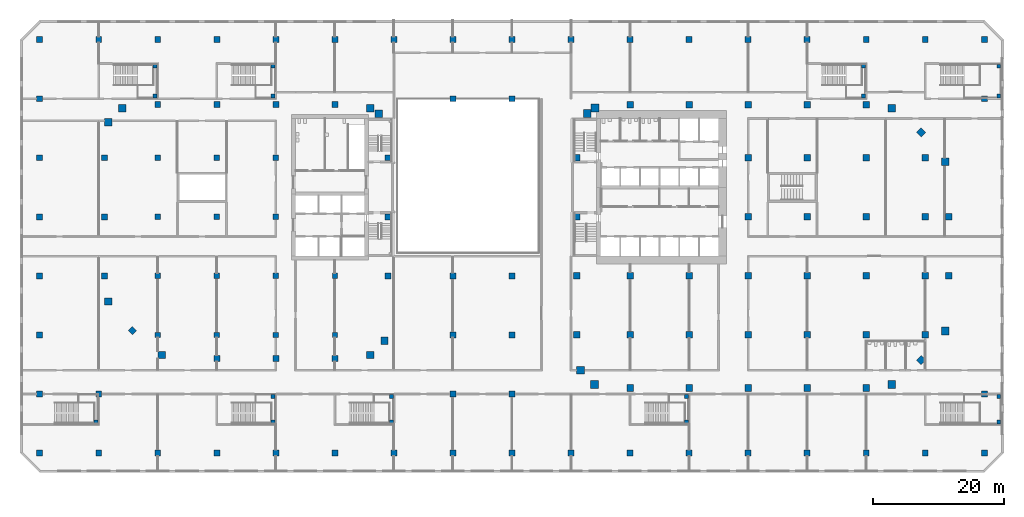
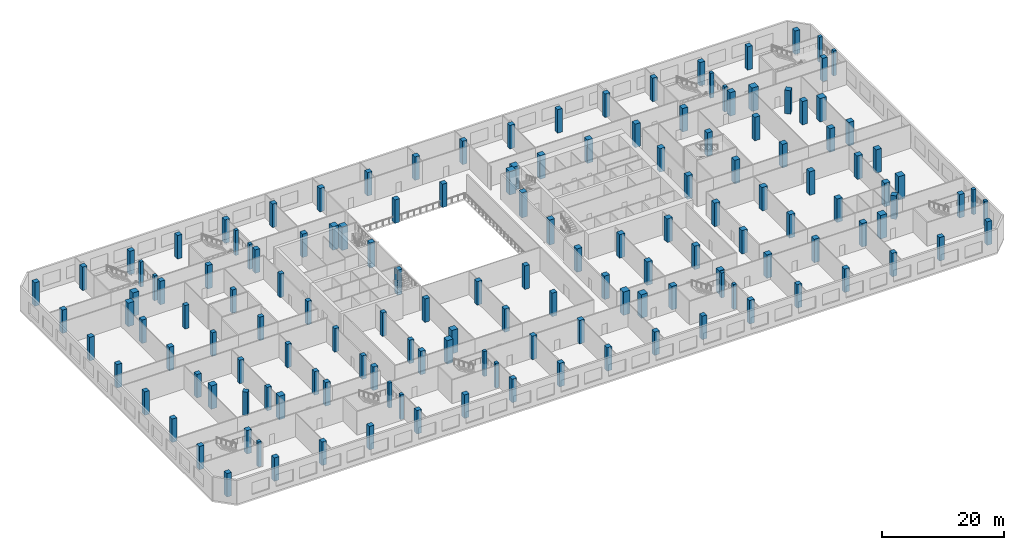
# One storey, part 1 of 21: 150 columns.
"""IFC4 building model written with IfcOpenShell, lengths in metres."""

from ifc_helpers import new_model, si_unit, direction, frame, origin, origin_2d, place, context, subcontext, project, spatial, rectangle, extrude, material, material_profile, profile_set, type_object, element, save


model = new_model("IFC4")

# Units and contexts
model_context = context("Model", 3, precision=1e-05, world=origin(), true_north=direction((0.0, 1.0)))
body_context = subcontext(model_context, "Body", "Model", "MODEL_VIEW")
ifc_project = project(units=[si_unit("LENGTHUNIT", "METRE"), si_unit("AREAUNIT", "SQUARE_METRE"), si_unit("VOLUMEUNIT", "CUBIC_METRE"), si_unit("PLANEANGLEUNIT", "RADIAN"), si_unit("MASSUNIT", "GRAM", prefix="KILO")], contexts=[model_context])

# Site, building, storey
site_placement = place(None, origin())
site = spatial("IfcSite", under=ifc_project, at=site_placement, CompositionType="ELEMENT")
building_placement = place(site_placement, origin())
building = spatial("IfcBuilding", under=site, at=building_placement, Name="Cinnabar Reach Civic Tower", CompositionType="ELEMENT")
storey_placement = place(building_placement, frame((0.0, 0.0, 16.0)))
storey = spatial("IfcBuildingStorey", under=building, at=storey_placement, Name="L03", CompositionType="ELEMENT", Elevation=16.0)

# Columns
ifc_material_1 = material(Name="Concrete C70", Category="concrete")
ifc_material_profile_1 = material_profile(ifc_material_1, rectangle(XDim=1.0, YDim=1.0, at=origin_2d()), Name="RC1000")
ifc_profile_set_1 = profile_set([ifc_material_profile_1], Name="Concrete C70")
column_type_1 = type_object("IfcColumnType", Name="RC1000 column R 240", PredefinedType="COLUMN", material=ifc_profile_set_1)
for number, where, z_axis, x_axis, name in (
    (1, (9.0, 0.9, 0.0), (0.0, 0.0, 1.0), (1.0, 0.0, 0.0), "Column T1-Z1-F0-1"),
    (2, (18.0, 0.9, 0.0), (0.0, 0.0, 1.0), (1.0, 0.0, 0.0), "Column T1-Z1-F0-2"),
    (3, (27.0, 0.9, 0.0), (0.0, 0.0, 1.0), (1.0, 0.0, 0.0), "Column T1-Z1-F0-3"),
    (4, (36.0, 0.9, 0.0), (0.0, 0.0, 1.0), (1.0, 0.0, 0.0), "Column T1-Z1-F0-4"),
    (5, (45.0, 0.9, 0.0), (0.0, 0.0, 1.0), (1.0, 0.0, 0.0), "Column T1-Z1-F0-5"),
    (6, (53.3636, 5.1364, 0.0), (0.0, 0.0, 1.0), (0.707106781187, 0.707106781187, 0.0), "Column T1-Z1-F1-M"),
    (7, (57.6, 18.0, 0.0), (0.0, 0.0, 1.0), (1.0, 0.0, 0.0), "Column T1-Z1-F2-2"),
    (8, (57.6, 27.0, 0.0), (0.0, 0.0, 1.0), (1.0, 0.0, 0.0), "Column T1-Z1-F2-3"),
    (9, (53.3636, 39.8636, 0.0), (0.0, 0.0, 1.0), (0.707106781187, 0.707106781187, 0.0), "Column T1-Z1-F3-M"),
    (10, (9.0, 44.1, 0.0), (0.0, 0.0, 1.0), (1.0, 0.0, 0.0), "Column T1-Z1-F4-1"),
    (11, (18.0, 44.1, 0.0), (0.0, 0.0, 1.0), (1.0, 0.0, 0.0), "Column T1-Z1-F4-2"),
    (12, (27.0, 44.1, 0.0), (0.0, 0.0, 1.0), (1.0, 0.0, 0.0), "Column T1-Z1-F4-3"),
    (13, (36.0, 44.1, 0.0), (0.0, 0.0, 1.0), (1.0, 0.0, 0.0), "Column T1-Z1-F4-4"),
    (14, (45.0, 44.1, 0.0), (0.0, 0.0, 1.0), (1.0, 0.0, 0.0), "Column T1-Z1-F4-5"),
    (15, (0.9, 9.0, 0.0), (0.0, 0.0, 1.0), (1.0, 0.0, 0.0), "Column T1-Z1-F6-1"),
    (16, (0.9, 18.0, 0.0), (0.0, 0.0, 1.0), (1.0, 0.0, 0.0), "Column T1-Z1-F6-2"),
):
    element("IfcColumn", number, at=place(storey_placement, frame(where, z_axis=z_axis, x_axis=x_axis)), inside=storey, type_object=column_type_1, Name=name, PredefinedType="COLUMN", context=body_context, shape_type="SweptSolid", body=[
        extrude(rectangle(XDim=1.0, YDim=1.0, at=origin_2d()), origin(), (0.0, 0.0, 1.0), 4.7),
    ])
for number, where, z_axis, x_axis, name in (
    (17, (0.9, 27.0, 0.0), (0.0, 0.0, 1.0), (1.0, 0.0, 0.0), "Column T1-Z1-F6-3"),
    (18, (0.9, 36.0, 0.0), (0.0, 0.0, 1.0), (1.0, 0.0, 0.0), "Column T1-Z1-F6-4"),
):
    element("IfcColumn", number, at=place(storey_placement, frame(where, z_axis=z_axis, x_axis=x_axis)), inside=storey, type_object=column_type_1, Name=name, PredefinedType="COLUMN", context=body_context, shape_type="SweptSolid", body=[
        extrude(rectangle(XDim=1.0, YDim=1.0, at=origin_2d()), origin(), (0.0, 0.0, 1.0), 5.0),
    ])
for number, where, z_axis, x_axis, name in (
    (19, (9.0, 9.0, 0.0), (0.0, 0.0, 1.0), (1.0, 0.0, 0.0), "Column T1-Z1-I9_9"),
    (20, (9.0, 18.0, 0.0), (0.0, 0.0, 1.0), (1.0, 0.0, 0.0), "Column T1-Z1-I9_18"),
    (21, (18.0, 9.0, 0.0), (0.0, 0.0, 1.0), (1.0, 0.0, 0.0), "Column T1-Z1-I18_9"),
    (22, (18.0, 18.0, 0.0), (0.0, 0.0, 1.0), (1.0, 0.0, 0.0), "Column T1-Z1-I18_18"),
    (23, (27.0, 9.0, 0.0), (0.0, 0.0, 1.0), (1.0, 0.0, 0.0), "Column T1-Z1-I27_9"),
    (24, (27.0, 18.0, 0.0), (0.0, 0.0, 1.0), (1.0, 0.0, 0.0), "Column T1-Z1-I27_18"),
    (25, (27.0, 27.0, 0.0), (0.0, 0.0, 1.0), (1.0, 0.0, 0.0), "Column T1-Z1-I27_27"),
    (26, (27.0, 36.0, 0.0), (0.0, 0.0, 1.0), (1.0, 0.0, 0.0), "Column T1-Z1-I27_36"),
    (27, (36.0, 9.0, 0.0), (0.0, 0.0, 1.0), (1.0, 0.0, 0.0), "Column T1-Z1-I36_9"),
    (28, (36.0, 18.0, 0.0), (0.0, 0.0, 1.0), (1.0, 0.0, 0.0), "Column T1-Z1-I36_18"),
    (29, (36.0, 27.0, 0.0), (0.0, 0.0, 1.0), (1.0, 0.0, 0.0), "Column T1-Z1-I36_27"),
    (30, (36.0, 36.0, 0.0), (0.0, 0.0, 1.0), (1.0, 0.0, 0.0), "Column T1-Z1-I36_36"),
    (31, (45.0, 9.0, 0.0), (0.0, 0.0, 1.0), (1.0, 0.0, 0.0), "Column T1-Z1-I45_9"),
    (32, (45.0, 18.0, 0.0), (0.0, 0.0, 1.0), (1.0, 0.0, 0.0), "Column T1-Z1-I45_18"),
    (33, (45.0, 27.0, 0.0), (0.0, 0.0, 1.0), (1.0, 0.0, 0.0), "Column T1-Z1-I45_27"),
    (34, (45.0, 36.0, 0.0), (0.0, 0.0, 1.0), (1.0, 0.0, 0.0), "Column T1-Z1-I45_36"),
    (35, (54.0, 9.0, 0.0), (0.0, 0.0, 1.0), (1.0, 0.0, 0.0), "Column T1-Z1-I54_9"),
    (36, (54.0, 18.0, 0.0), (0.0, 0.0, 1.0), (1.0, 0.0, 0.0), "Column T1-Z1-I54_18"),
    (37, (54.0, 27.0, 0.0), (0.0, 0.0, 1.0), (1.0, 0.0, 0.0), "Column T1-Z1-I54_27"),
    (38, (54.0, 36.0, 0.0), (0.0, 0.0, 1.0), (1.0, 0.0, 0.0), "Column T1-Z1-I54_36"),
):
    element("IfcColumn", number, at=place(storey_placement, frame(where, z_axis=z_axis, x_axis=x_axis)), inside=storey, type_object=column_type_1, Name=name, PredefinedType="COLUMN", context=body_context, shape_type="SweptSolid", body=[
        extrude(rectangle(XDim=1.0, YDim=1.0, at=origin_2d()), origin(), (0.0, 0.0, 1.0), 4.7),
    ])
ifc_material_2 = material(Name="Concrete C80", Category="concrete")
ifc_material_profile_2 = material_profile(ifc_material_2, rectangle(XDim=1.1, YDim=1.1, at=origin_2d()), Name="RC1100")
ifc_profile_set_2 = profile_set([ifc_material_profile_2], Name="Concrete C80")
column_type_2 = type_object("IfcColumnType", Name="RC1100 column R 180", PredefinedType="COLUMN", material=ifc_profile_set_2)
for number, where, z_axis, x_axis, name in (
    (39, (-62.3981, 5.9531, 0.0), (0.0, 0.0, 1.0), (1.0, 0.0, 0.0), "Column T2-Z1-CC0"),
    (40, (-30.6019, 5.9531, 0.0), (0.0, 0.0, 1.0), (1.0, 0.0, 0.0), "Column T2-Z1-CC1"),
    (41, (-28.4531, 8.1019, 0.0), (0.0, 0.0, 1.0), (1.0, 0.0, 0.0), "Column T2-Z1-CC2"),
    (42, (-29.3131, 42.7, 0.0), (0.0, 0.0, 1.0), (1.0, 0.0, 0.0), "Column T2-Z1-CC3"),
    (43, (-30.6019, 43.5469, 0.0), (0.0, 0.0, 1.0), (1.0, 0.0, 0.0), "Column T2-Z1-CC4"),
    (44, (-68.3981, 43.5469, 0.0), (0.0, 0.0, 1.0), (1.0, 0.0, 0.0), "Column T2-Z1-CC5"),
    (45, (-70.5469, 41.3981, 0.0), (0.0, 0.0, 1.0), (1.0, 0.0, 0.0), "Column T2-Z1-CC6"),
    (46, (-70.5469, 14.1019, 0.0), (0.0, 0.0, 1.0), (1.0, 0.0, 0.0), "Column T2-Z1-CC7"),
):
    element("IfcColumn", number, at=place(storey_placement, frame(where, z_axis=z_axis, x_axis=x_axis)), inside=storey, type_object=column_type_2, Name=name, PredefinedType="COLUMN", context=body_context, shape_type="SweptSolid", body=[
        extrude(rectangle(XDim=1.1, YDim=1.1, at=origin_2d()), origin(), (0.0, 0.0, 1.0), 4.7),
    ])
ifc_material_profile_3 = material_profile(ifc_material_2, rectangle(XDim=1.2, YDim=1.2, at=origin_2d()), Name="RC1200")
ifc_profile_set_3 = profile_set([ifc_material_profile_3], Name="Concrete C80")
column_type_3 = type_object("IfcColumnType", Name="RC1200 column R 240", PredefinedType="COLUMN", material=ifc_profile_set_3)
for number, where, z_axis, x_axis, name in (
    (47, (3.6019, 1.4531, 0.0), (0.0, 0.0, 1.0), (1.0, 0.0, 0.0), "Column T1-Z1-CC0"),
    (48, (48.8981, 1.4531, 0.0), (0.0, 0.0, 1.0), (1.0, 0.0, 0.0), "Column T1-Z1-CC1"),
    (49, (57.0469, 9.6019, 0.0), (0.0, 0.0, 1.0), (1.0, 0.0, 0.0), "Column T1-Z1-CC2"),
    (50, (57.0469, 35.3981, 0.0), (0.0, 0.0, 1.0), (1.0, 0.0, 0.0), "Column T1-Z1-CC3"),
    (51, (48.8981, 43.5469, 0.0), (0.0, 0.0, 1.0), (1.0, 0.0, 0.0), "Column T1-Z1-CC4"),
    (52, (3.6666, 43.5737, 0.0), (0.0, 0.0, 1.0), (1.0, 0.0, 0.0), "Column T1-Z1-CC5"),
    (53, (2.4631, 42.75, 0.0), (0.0, 0.0, 1.0), (1.0, 0.0, 0.0), "Column T1-Z1-CC6"),
    (54, (1.4531, 3.6019, 0.0), (0.0, 0.0, 1.0), (1.0, 0.0, 0.0), "Column T1-Z1-CC7"),
):
    element("IfcColumn", number, at=place(storey_placement, frame(where, z_axis=z_axis, x_axis=x_axis)), inside=storey, type_object=column_type_3, Name=name, PredefinedType="COLUMN", context=body_context, shape_type="SweptSolid", body=[
        extrude(rectangle(XDim=1.2, YDim=1.2, at=origin_2d()), origin(), (0.0, 0.0, 1.0), 4.7),
    ])
ifc_material_3 = material(Name="Concrete C60", Category="concrete")
ifc_material_profile_4 = material_profile(ifc_material_3, rectangle(XDim=0.6, YDim=0.6, at=origin_2d()), Name="RC600")
ifc_profile_set_4 = profile_set([ifc_material_profile_4], Name="Concrete C60")
column_type_4 = type_object("IfcColumnType", Name="RC600 landing post R 240", PredefinedType="COLUMN", material=ifc_profile_set_4)
for number, where, z_axis, x_axis, name in (
    (55, (-72.4, -4.25, 0.0), (0.0, 0.0, 1.0), (1.0, 0.0, 0.0), "Landing post PS1 L03 1"),
    (56, (-63.4, 49.95, 0.0), (0.0, 0.0, 1.0), (1.0, 0.0, 0.0), "Landing post PS2 L03 1"),
    (57, (-63.4, 45.4, 0.0), (0.0, 0.0, 1.0), (1.0, 0.0, 0.0), "Landing post PS2 L03 2"),
    (58, (17.6, -4.25, 0.0), (0.0, 0.0, 1.0), (1.0, 0.0, 0.0), "Landing post PS3 L03 1"),
    (59, (17.6, -0.4, 0.0), (0.0, 0.0, 1.0), (1.0, 0.0, 0.0), "Landing post PS3 L03 2"),
    (60, (65.2, -4.25, 0.0), (0.0, 0.0, 1.0), (1.0, 0.0, 0.0), "Landing post PS4 L03 1"),
    (61, (65.2, -0.4, 0.0), (0.0, 0.0, 1.0), (1.0, 0.0, 0.0), "Landing post PS4 L03 2"),
    (62, (65.2, 49.95, 0.0), (0.0, 0.0, 1.0), (1.0, 0.0, 0.0), "Landing post PS5 L03 1"),
    (63, (65.2, 45.4, 0.0), (0.0, 0.0, 1.0), (1.0, 0.0, 0.0), "Landing post PS5 L03 2"),
    (64, (44.6, 49.95, 0.0), (0.0, 0.0, 1.0), (1.0, 0.0, 0.0), "Landing post PS6 L03 1"),
    (65, (44.6, 45.4, 0.0), (0.0, 0.0, 1.0), (1.0, 0.0, 0.0), "Landing post PS6 L03 2"),
    (66, (-45.4, 49.95, 0.0), (0.0, 0.0, 1.0), (1.0, 0.0, 0.0), "Landing post PS7 L03 1"),
    (67, (-45.4, 45.4, 0.0), (0.0, 0.0, 1.0), (1.0, 0.0, 0.0), "Landing post PS7 L03 2"),
    (68, (-45.4, -4.25, 0.0), (0.0, 0.0, 1.0), (1.0, 0.0, 0.0), "Landing post PS8 L03 1"),
    (69, (-45.4, -0.4, 0.0), (0.0, 0.0, 1.0), (1.0, 0.0, 0.0), "Landing post PS8 L03 2"),
    (70, (-27.4, -4.25, 0.0), (0.0, 0.0, 1.0), (1.0, 0.0, 0.0), "Landing post PS9 L03 1"),
    (71, (-27.4, -0.4, 0.0), (0.0, 0.0, 1.0), (1.0, 0.0, 0.0), "Landing post PS9 L03 2"),
):
    element("IfcColumn", number, at=place(storey_placement, frame(where, z_axis=z_axis, x_axis=x_axis)), inside=storey, type_object=column_type_4, Name=name, PredefinedType="COLUMN", context=body_context, shape_type="SweptSolid", body=[
        extrude(rectangle(XDim=0.6, YDim=0.6, at=origin_2d()), origin(), (0.0, 0.0, 1.0), 5.0),
    ])
ifc_material_profile_5 = material_profile(ifc_material_3, rectangle(XDim=0.8, YDim=0.8, at=origin_2d()), Name="RC800")
ifc_profile_set_5 = profile_set([ifc_material_profile_5], Name="Concrete C60")
column_type_5 = type_object("IfcColumnType", Name="RC800 column R 180", PredefinedType="COLUMN", material=ifc_profile_set_5)
for number, where, z_axis, x_axis, name in (
    (72, (-63.0, 9.0, 0.0), (0.0, 0.0, 1.0), (1.0, 0.0, 0.0), "Column T2-Z1-I-63_9"),
    (73, (-63.0, 18.0, 0.0), (0.0, 0.0, 1.0), (1.0, 0.0, 0.0), "Column T2-Z1-I-63_18"),
    (74, (-63.0, 27.0, 0.0), (0.0, 0.0, 1.0), (1.0, 0.0, 0.0), "Column T2-Z1-I-63_27"),
    (75, (-63.0, 36.0, 0.0), (0.0, 0.0, 1.0), (1.0, 0.0, 0.0), "Column T2-Z1-I-63_36"),
    (76, (-54.0, 9.0, 0.0), (0.0, 0.0, 1.0), (1.0, 0.0, 0.0), "Column T2-Z1-I-54_9"),
    (77, (-54.0, 18.0, 0.0), (0.0, 0.0, 1.0), (1.0, 0.0, 0.0), "Column T2-Z1-I-54_18"),
    (78, (-54.0, 27.0, 0.0), (0.0, 0.0, 1.0), (1.0, 0.0, 0.0), "Column T2-Z1-I-54_27"),
    (79, (-54.0, 36.0, 0.0), (0.0, 0.0, 1.0), (1.0, 0.0, 0.0), "Column T2-Z1-I-54_36"),
    (80, (-45.0, 9.0, 0.0), (0.0, 0.0, 1.0), (1.0, 0.0, 0.0), "Column T2-Z1-I-45_9"),
    (81, (-45.0, 18.0, 0.0), (0.0, 0.0, 1.0), (1.0, 0.0, 0.0), "Column T2-Z1-I-45_18"),
    (82, (-45.0, 27.0, 0.0), (0.0, 0.0, 1.0), (1.0, 0.0, 0.0), "Column T2-Z1-I-45_27"),
    (83, (-45.0, 36.0, 0.0), (0.0, 0.0, 1.0), (1.0, 0.0, 0.0), "Column T2-Z1-I-45_36"),
    (84, (-36.0, 9.0, 0.0), (0.0, 0.0, 1.0), (1.0, 0.0, 0.0), "Column T2-Z1-I-36_9"),
    (85, (-36.0, 18.0, 0.0), (0.0, 0.0, 1.0), (1.0, 0.0, 0.0), "Column T2-Z1-I-36_18"),
):
    element("IfcColumn", number, at=place(storey_placement, frame(where, z_axis=z_axis, x_axis=x_axis)), inside=storey, type_object=column_type_5, Name=name, PredefinedType="COLUMN", context=body_context, shape_type="SweptSolid", body=[
        extrude(rectangle(XDim=0.8, YDim=0.8, at=origin_2d()), origin(), (0.0, 0.0, 1.0), 4.7),
    ])
ifc_material_profile_6 = material_profile(ifc_material_1, rectangle(XDim=0.9, YDim=0.9, at=origin_2d()), Name="RC900")
ifc_profile_set_6 = profile_set([ifc_material_profile_6], Name="Concrete C70")
column_type_6 = type_object("IfcColumnType", Name="RC900 column R 180", PredefinedType="COLUMN", material=ifc_profile_set_6)
for number, where, z_axis, x_axis, name in (
    (86, (-54.0, 5.4, 0.0), (0.0, 0.0, 1.0), (1.0, 0.0, 0.0), "Column T2-Z1-F0--6"),
    (87, (-45.0, 5.4, 0.0), (0.0, 0.0, 1.0), (1.0, 0.0, 0.0), "Column T2-Z1-F0--5"),
    (88, (-36.0, 5.4, 0.0), (0.0, 0.0, 1.0), (1.0, 0.0, 0.0), "Column T2-Z1-F0--4"),
    (89, (-27.9, 18.0, 0.0), (0.0, 0.0, 1.0), (1.0, 0.0, 0.0), "Column T2-Z1-F2-2"),
):
    element("IfcColumn", number, at=place(storey_placement, frame(where, z_axis=z_axis, x_axis=x_axis)), inside=storey, type_object=column_type_6, Name=name, PredefinedType="COLUMN", context=body_context, shape_type="SweptSolid", body=[
        extrude(rectangle(XDim=0.9, YDim=0.9, at=origin_2d()), origin(), (0.0, 0.0, 1.0), 4.7),
    ])
for number, where, z_axis, x_axis, name in (
    (90, (-27.9, 27.0, 0.0), (0.0, 0.0, 1.0), (1.0, 0.0, 0.0), "Column T2-Z1-F2-3"),
    (91, (-27.9, 36.0, 0.0), (0.0, 0.0, 1.0), (1.0, 0.0, 0.0), "Column T2-Z1-F2-4"),
):
    element("IfcColumn", number, at=place(storey_placement, frame(where, z_axis=z_axis, x_axis=x_axis)), inside=storey, type_object=column_type_6, Name=name, PredefinedType="COLUMN", context=body_context, shape_type="SweptSolid", body=[
        extrude(rectangle(XDim=0.9, YDim=0.9, at=origin_2d()), origin(), (0.0, 0.0, 1.0), 5.0),
    ])
for number, where, z_axis, x_axis, name in (
    (92, (-63.0, 44.1, 0.0), (0.0, 0.0, 1.0), (1.0, 0.0, 0.0), "Column T2-Z1-F4--7"),
    (93, (-54.0, 44.1, 0.0), (0.0, 0.0, 1.0), (1.0, 0.0, 0.0), "Column T2-Z1-F4--6"),
    (94, (-45.0, 44.1, 0.0), (0.0, 0.0, 1.0), (1.0, 0.0, 0.0), "Column T2-Z1-F4--5"),
    (95, (-36.0, 44.1, 0.0), (0.0, 0.0, 1.0), (1.0, 0.0, 0.0), "Column T2-Z1-F4--4"),
    (96, (-71.1, 18.0, 0.0), (0.0, 0.0, 1.0), (1.0, 0.0, 0.0), "Column T2-Z1-F6-2"),
    (97, (-71.1, 27.0, 0.0), (0.0, 0.0, 1.0), (1.0, 0.0, 0.0), "Column T2-Z1-F6-3"),
    (98, (-71.1, 36.0, 0.0), (0.0, 0.0, 1.0), (1.0, 0.0, 0.0), "Column T2-Z1-F6-4"),
    (99, (-66.8636, 9.6364, 0.0), (0.0, 0.0, 1.0), (0.707106781187, 0.707106781187, 0.0), "Column T2-Z1-F7-M"),
):
    element("IfcColumn", number, at=place(storey_placement, frame(where, z_axis=z_axis, x_axis=x_axis)), inside=storey, type_object=column_type_6, Name=name, PredefinedType="COLUMN", context=body_context, shape_type="SweptSolid", body=[
        extrude(rectangle(XDim=0.9, YDim=0.9, at=origin_2d()), origin(), (0.0, 0.0, 1.0), 4.7),
    ])
ifc_material_profile_7 = material_profile(ifc_material_1, rectangle(XDim=0.9, YDim=0.9, at=origin_2d()), Name="RC900")
ifc_profile_set_7 = profile_set([ifc_material_profile_7], Name="Concrete C70")
column_type_7 = type_object("IfcColumnType", Name="RC900 column R 240", PredefinedType="COLUMN", material=ifc_profile_set_7)
for number, where, z_axis, x_axis, name in (
    (100, (-81.0, -9.0, 0.0), (0.0, 0.0, 1.0), (1.0, 0.0, 0.0), "Column -81/-9 L03"),
    (101, (-81.0, 0.0, 0.0), (0.0, 0.0, 1.0), (1.0, 0.0, 0.0), "Column -81/0 L03"),
    (102, (-81.0, 9.0, 0.0), (0.0, 0.0, 1.0), (1.0, 0.0, 0.0), "Column -81/9 L03"),
    (103, (-81.0, 18.0, 0.0), (0.0, 0.0, 1.0), (1.0, 0.0, 0.0), "Column -81/18 L03"),
    (104, (-81.0, 27.0, 0.0), (0.0, 0.0, 1.0), (1.0, 0.0, 0.0), "Column -81/27 L03"),
    (105, (-81.0, 36.0, 0.0), (0.0, 0.0, 1.0), (1.0, 0.0, 0.0), "Column -81/36 L03"),
    (106, (-81.0, 45.0, 0.0), (0.0, 0.0, 1.0), (1.0, 0.0, 0.0), "Column -81/45 L03"),
    (107, (-81.0, 54.0, 0.0), (0.0, 0.0, 1.0), (1.0, 0.0, 0.0), "Column -81/54 L03"),
    (108, (-72.0, -9.0, 0.0), (0.0, 0.0, 1.0), (1.0, 0.0, 0.0), "Column -72/-9 L03"),
    (109, (-72.0, 0.0, 0.0), (0.0, 0.0, 1.0), (1.0, 0.0, 0.0), "Column -72/0 L03"),
    (110, (-72.0, 54.0, 0.0), (0.0, 0.0, 1.0), (1.0, 0.0, 0.0), "Column -72/54 L03"),
    (111, (-63.0, -9.0, 0.0), (0.0, 0.0, 1.0), (1.0, 0.0, 0.0), "Column -63/-9 L03"),
    (112, (-63.0, 54.0, 0.0), (0.0, 0.0, 1.0), (1.0, 0.0, 0.0), "Column -63/54 L03"),
    (113, (-54.0, -9.0, 0.0), (0.0, 0.0, 1.0), (1.0, 0.0, 0.0), "Column -54/-9 L03"),
    (114, (-54.0, 54.0, 0.0), (0.0, 0.0, 1.0), (1.0, 0.0, 0.0), "Column -54/54 L03"),
    (115, (-45.0, -9.0, 0.0), (0.0, 0.0, 1.0), (1.0, 0.0, 0.0), "Column -45/-9 L03"),
    (116, (-45.0, 54.0, 0.0), (0.0, 0.0, 1.0), (1.0, 0.0, 0.0), "Column -45/54 L03"),
    (117, (-36.0, -9.0, 0.0), (0.0, 0.0, 1.0), (1.0, 0.0, 0.0), "Column -36/-9 L03"),
    (118, (-36.0, 54.0, 0.0), (0.0, 0.0, 1.0), (1.0, 0.0, 0.0), "Column -36/54 L03"),
    (119, (-27.0, -9.0, 0.0), (0.0, 0.0, 1.0), (1.0, 0.0, 0.0), "Column -27/-9 L03"),
    (120, (-27.0, 54.0, 0.0), (0.0, 0.0, 1.0), (1.0, 0.0, 0.0), "Column -27/54 L03"),
    (121, (-18.0, -9.0, 0.0), (0.0, 0.0, 1.0), (1.0, 0.0, 0.0), "Column -18/-9 L03"),
    (122, (-18.0, 0.0, 0.0), (0.0, 0.0, 1.0), (1.0, 0.0, 0.0), "Column -18/0 L03"),
    (123, (-18.0, 9.0, 0.0), (0.0, 0.0, 1.0), (1.0, 0.0, 0.0), "Column -18/9 L03"),
    (124, (-18.0, 18.0, 0.0), (0.0, 0.0, 1.0), (1.0, 0.0, 0.0), "Column -18/18 L03"),
    (125, (-18.0, 45.0, 0.0), (0.0, 0.0, 1.0), (1.0, 0.0, 0.0), "Column -18/45 L03"),
    (126, (-18.0, 54.0, 0.0), (0.0, 0.0, 1.0), (1.0, 0.0, 0.0), "Column -18/54 L03"),
    (127, (-9.0, -9.0, 0.0), (0.0, 0.0, 1.0), (1.0, 0.0, 0.0), "Column -9/-9 L03"),
    (128, (-9.0, 0.0, 0.0), (0.0, 0.0, 1.0), (1.0, 0.0, 0.0), "Column -9/0 L03"),
    (129, (-9.0, 9.0, 0.0), (0.0, 0.0, 1.0), (1.0, 0.0, 0.0), "Column -9/9 L03"),
    (130, (-9.0, 18.0, 0.0), (0.0, 0.0, 1.0), (1.0, 0.0, 0.0), "Column -9/18 L03"),
    (131, (-9.0, 45.0, 0.0), (0.0, 0.0, 1.0), (1.0, 0.0, 0.0), "Column -9/45 L03"),
    (132, (-9.0, 54.0, 0.0), (0.0, 0.0, 1.0), (1.0, 0.0, 0.0), "Column -9/54 L03"),
    (133, (0.0, -9.0, 0.0), (0.0, 0.0, 1.0), (1.0, 0.0, 0.0), "Column 0/-9 L03"),
    (134, (0.0, 54.0, 0.0), (0.0, 0.0, 1.0), (1.0, 0.0, 0.0), "Column 0/54 L03"),
    (135, (9.0, -9.0, 0.0), (0.0, 0.0, 1.0), (1.0, 0.0, 0.0), "Column 9/-9 L03"),
    (136, (9.0, 54.0, 0.0), (0.0, 0.0, 1.0), (1.0, 0.0, 0.0), "Column 9/54 L03"),
    (137, (18.0, -9.0, 0.0), (0.0, 0.0, 1.0), (1.0, 0.0, 0.0), "Column 18/-9 L03"),
    (138, (18.0, 54.0, 0.0), (0.0, 0.0, 1.0), (1.0, 0.0, 0.0), "Column 18/54 L03"),
    (139, (27.0, -9.0, 0.0), (0.0, 0.0, 1.0), (1.0, 0.0, 0.0), "Column 27/-9 L03"),
    (140, (27.0, 54.0, 0.0), (0.0, 0.0, 1.0), (1.0, 0.0, 0.0), "Column 27/54 L03"),
    (141, (36.0, -9.0, 0.0), (0.0, 0.0, 1.0), (1.0, 0.0, 0.0), "Column 36/-9 L03"),
    (142, (36.0, 54.0, 0.0), (0.0, 0.0, 1.0), (1.0, 0.0, 0.0), "Column 36/54 L03"),
    (143, (45.0, -9.0, 0.0), (0.0, 0.0, 1.0), (1.0, 0.0, 0.0), "Column 45/-9 L03"),
    (144, (45.0, 54.0, 0.0), (0.0, 0.0, 1.0), (1.0, 0.0, 0.0), "Column 45/54 L03"),
    (145, (54.0, -9.0, 0.0), (0.0, 0.0, 1.0), (1.0, 0.0, 0.0), "Column 54/-9 L03"),
    (146, (54.0, 54.0, 0.0), (0.0, 0.0, 1.0), (1.0, 0.0, 0.0), "Column 54/54 L03"),
    (147, (63.0, -9.0, 0.0), (0.0, 0.0, 1.0), (1.0, 0.0, 0.0), "Column 63/-9 L03"),
    (148, (63.0, 0.0, 0.0), (0.0, 0.0, 1.0), (1.0, 0.0, 0.0), "Column 63/0 L03"),
    (149, (63.0, 45.0, 0.0), (0.0, 0.0, 1.0), (1.0, 0.0, 0.0), "Column 63/45 L03"),
    (150, (63.0, 54.0, 0.0), (0.0, 0.0, 1.0), (1.0, 0.0, 0.0), "Column 63/54 L03"),
):
    element("IfcColumn", number, at=place(storey_placement, frame(where, z_axis=z_axis, x_axis=x_axis)), inside=storey, type_object=column_type_7, Name=name, PredefinedType="COLUMN", context=body_context, shape_type="SweptSolid", body=[
        extrude(rectangle(XDim=0.9, YDim=0.9, at=origin_2d()), origin(), (0.0, 0.0, 1.0), 4.7),
    ])

save(model, "model.ifc")
